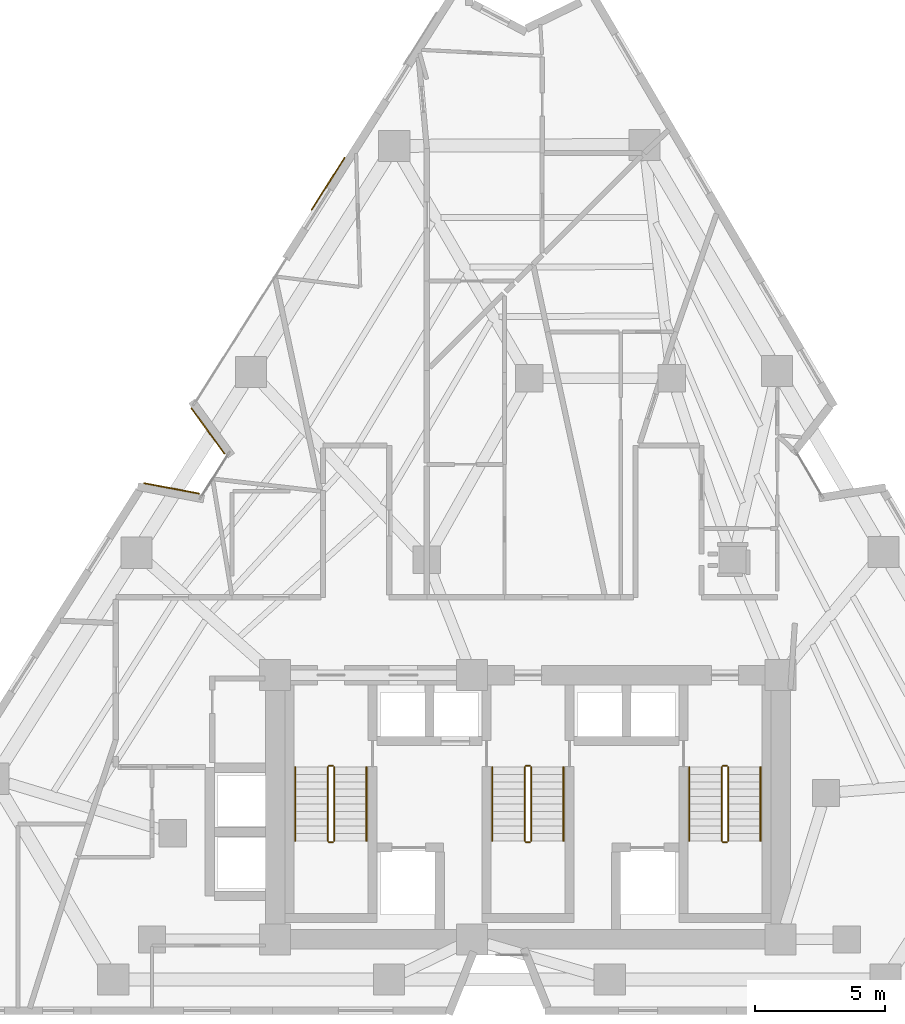
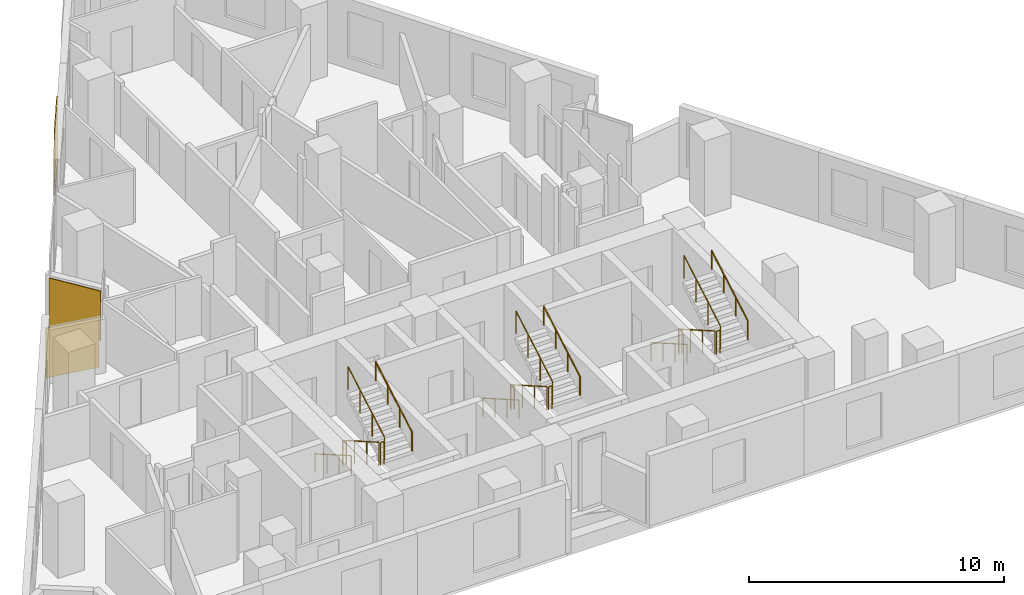
# One storey, part 11 of 12: 18 railings, 3 coverings.
"""IFC4 building model written with IfcOpenShell, lengths in metres."""

from ifc_helpers import new_model, si_unit, direction, frame, origin, origin_2d, place, context, subcontext, project, spatial, rectangle, circle, extrude, material, layer, layer_set, type_object, element, save


model = new_model("IFC4")

# Units and contexts
model_context = context("Model", 3, precision=1e-05, world=origin(), true_north=direction((0.0, 1.0)))
body_context = subcontext(model_context, "Body", "Model", "MODEL_VIEW")
ifc_project = project(units=[si_unit("LENGTHUNIT", "METRE"), si_unit("AREAUNIT", "SQUARE_METRE"), si_unit("VOLUMEUNIT", "CUBIC_METRE"), si_unit("PLANEANGLEUNIT", "RADIAN"), si_unit("MASSUNIT", "GRAM", prefix="KILO")], contexts=[model_context])

# Site, building, storey
site_placement = place(None, origin())
site = spatial("IfcSite", under=ifc_project, at=site_placement, CompositionType="ELEMENT")
building_placement = place(site_placement, origin())
building = spatial("IfcBuilding", under=site, at=building_placement, Name="Almagre Mirador Tower", CompositionType="ELEMENT")
storey_placement = place(building_placement, frame((0.0, 0.0, 117.60009765625)))
storey = spatial("IfcBuildingStorey", under=building, at=storey_placement, Name="L29", CompositionType="ELEMENT", Elevation=117.60009765625)

# Coverings
ifc_material_1 = material(Name="Almagre terracotta architectural cladding", Category="masonry")
ifc_layer = layer(ifc_material_1, 0.044921875)
ifc_layer_set = layer_set([ifc_layer], Name="Almagre terracotta architectural cladding")
covering_type = type_object("IfcCoveringType", Name="COV-CLAD-ALMAGRE", PredefinedType="CLADDING", material=ifc_layer_set)
for number, where, z_axis, x_axis, name in (
    (1, (23.552978515625, 21.950439453125, 0.099853515625), (0.0, 0.0, 1.0), (0.982745405197, -0.184963424938, 0.0), "L29 almagre terracotta pier cladding"),
    (2, (24.956298828125, 24.16748046875, 0.099853515625), (0.0, 0.0, 1.0), (-0.587757011914, 0.809037511458, 0.0), "L29 almagre terracotta pier cladding"),
):
    element("IfcCovering", number, at=place(storey_placement, frame(where, z_axis=z_axis, x_axis=x_axis)), inside=storey, type_object=covering_type, Name=name, PredefinedType="CLADDING", context=body_context, shape_type="SweptSolid", body=[
        extrude(rectangle(XDim=2.194091796875, YDim=0.044921875, at=origin_2d()), origin(), (0.0, 0.0, 1.0), 2.375),
    ])
covering_placement = place(storey_placement, frame((29.5927734375, 33.704833984375, 0.099853515625), z_axis=(0.0, 0.0, 1.0), x_axis=(0.534898084209, 0.844916587309, 0.0)))
element("IfcCovering", 3, at=covering_placement, inside=storey, type_object=covering_type, Name="L29 almagre terracotta pier cladding", PredefinedType="CLADDING", context=body_context, shape_type="SweptSolid", body=[
    extrude(rectangle(XDim=2.39990234375, YDim=0.044921875, at=origin_2d()), origin(), (0.0, 0.0, 1.0), 3.14990234375),
])

# Railings
ifc_material_2 = material(Name="Painted galvanized steel", Category="steel")
railing_type_1 = type_object("IfcRailingType", Name="RLG-GRD-1100", PredefinedType="GUARDRAIL", material=ifc_material_2)
railing_1_placement = place(storey_placement, frame((29.574951171875, 11.199951171875, 0.16357421875)))
element("IfcRailing", 4, at=railing_1_placement, inside=storey, type_object=railing_type_1, Name="L29 ST-1 stair guard 1", PredefinedType="GUARDRAIL", context=body_context, shape_type="SweptSolid", body=[
    extrude(circle(Radius=0.02392578125, at=origin_2d()), frame((0.0, 0.0, 1.09619140625), z_axis=(0.0, -0.867226363773, 0.497914082927), x_axis=(1.0, 0.0, 0.0)), (0.0, 0.0, 1.0), 3.2861328125),
    extrude(circle(Radius=0.02099609375, at=origin_2d()), origin(), (0.0, 0.0, 1.0), 1.072021484375),
    extrude(circle(Radius=0.02099609375, at=origin_2d()), frame((0.0, -0.949951171875, 0.54541015625)), (0.0, 0.0, 1.0), 1.072021484375),
    extrude(circle(Radius=0.02099609375, at=origin_2d()), frame((0.0, -1.89990234375, 1.0908203125)), (0.0, 0.0, 1.0), 1.072021484375),
    extrude(circle(Radius=0.02099609375, at=origin_2d()), frame((0.0, -2.849853515625, 1.63623046875)), (0.0, 0.0, 1.0), 1.072021484375),
])
railing_2_placement = place(storey_placement, frame((29.625, 8.300048828125, 1.7998046875)))
element("IfcRailing", 5, at=railing_2_placement, inside=storey, type_object=railing_type_1, Name="L29 ST-1 stair guard 2", PredefinedType="GUARDRAIL", context=body_context, shape_type="SweptSolid", body=[
    extrude(circle(Radius=0.02392578125, at=origin_2d()), frame((0.0, 0.0, 1.09619140625), z_axis=(1.0, 0.0, 0.0), x_axis=(0.0, 1.0, 0.0)), (0.0, 0.0, 1.0), 0.14990234375),
    extrude(circle(Radius=0.02099609375, at=origin_2d()), origin(), (0.0, 0.0, 1.0), 1.072021484375),
    extrude(circle(Radius=0.02099609375, at=origin_2d()), frame((0.14990234375, 0.0, 0.0)), (0.0, 0.0, 1.0), 1.072021484375),
])
railing_3_placement = place(storey_placement, frame((29.824951171875, 8.35009765625, 1.963623046875)))
element("IfcRailing", 6, at=railing_3_placement, inside=storey, type_object=railing_type_1, Name="L29 ST-1 stair guard 3", PredefinedType="GUARDRAIL", context=body_context, shape_type="SweptSolid", body=[
    extrude(circle(Radius=0.02392578125, at=origin_2d()), frame((0.0, 0.0, 1.09619140625), z_axis=(0.0, 0.867226363773, 0.497914082927), x_axis=(-1.0, 0.0, 0.0)), (0.0, 0.0, 1.0), 3.2861328125),
    extrude(circle(Radius=0.02099609375, at=origin_2d()), origin(), (0.0, 0.0, 1.0), 1.072021484375),
    extrude(circle(Radius=0.02099609375, at=origin_2d()), frame((0.0, 0.949951171875, 0.54541015625)), (0.0, 0.0, 1.0), 1.072021484375),
    extrude(circle(Radius=0.02099609375, at=origin_2d()), frame((0.0, 1.89990234375, 1.0908203125)), (0.0, 0.0, 1.0), 1.072021484375),
    extrude(circle(Radius=0.02099609375, at=origin_2d()), frame((0.0, 2.849853515625, 1.63623046875)), (0.0, 0.0, 1.0), 1.072021484375),
])
railing_4_placement = place(storey_placement, frame((29.625, 11.25, 0.0)))
element("IfcRailing", 7, at=railing_4_placement, inside=storey, type_object=railing_type_1, Name="L29 ST-1 stair guard 4", PredefinedType="GUARDRAIL", context=body_context, shape_type="SweptSolid", body=[
    extrude(circle(Radius=0.02392578125, at=origin_2d()), frame((0.0, 0.0, 1.09619140625), z_axis=(1.0, 0.0, 0.0), x_axis=(0.0, 1.0, 0.0)), (0.0, 0.0, 1.0), 0.14990234375),
    extrude(circle(Radius=0.02099609375, at=origin_2d()), origin(), (0.0, 0.0, 1.0), 1.072021484375),
    extrude(circle(Radius=0.02099609375, at=origin_2d()), frame((0.14990234375, 0.0, 0.0)), (0.0, 0.0, 1.0), 1.072021484375),
])
railing_5_placement = place(storey_placement, frame((37.175048828125, 11.199951171875, 0.16357421875)))
element("IfcRailing", 8, at=railing_5_placement, inside=storey, type_object=railing_type_1, Name="L29 ST-2 stair guard 1", PredefinedType="GUARDRAIL", context=body_context, shape_type="SweptSolid", body=[
    extrude(circle(Radius=0.02392578125, at=origin_2d()), frame((0.0, 0.0, 1.09619140625), z_axis=(0.0, -0.867226363773, 0.497914082927), x_axis=(1.0, 0.0, 0.0)), (0.0, 0.0, 1.0), 3.2861328125),
    extrude(circle(Radius=0.02099609375, at=origin_2d()), origin(), (0.0, 0.0, 1.0), 1.072021484375),
    extrude(circle(Radius=0.02099609375, at=origin_2d()), frame((0.0, -0.949951171875, 0.54541015625)), (0.0, 0.0, 1.0), 1.072021484375),
    extrude(circle(Radius=0.02099609375, at=origin_2d()), frame((0.0, -1.89990234375, 1.0908203125)), (0.0, 0.0, 1.0), 1.072021484375),
    extrude(circle(Radius=0.02099609375, at=origin_2d()), frame((0.0, -2.849853515625, 1.63623046875)), (0.0, 0.0, 1.0), 1.072021484375),
])
railing_6_placement = place(storey_placement, frame((37.22509765625, 8.300048828125, 1.7998046875)))
element("IfcRailing", 9, at=railing_6_placement, inside=storey, type_object=railing_type_1, Name="L29 ST-2 stair guard 2", PredefinedType="GUARDRAIL", context=body_context, shape_type="SweptSolid", body=[
    extrude(circle(Radius=0.02392578125, at=origin_2d()), frame((0.0, 0.0, 1.09619140625), z_axis=(1.0, 0.0, 0.0), x_axis=(0.0, 1.0, 0.0)), (0.0, 0.0, 1.0), 0.14990234375),
    extrude(circle(Radius=0.02099609375, at=origin_2d()), origin(), (0.0, 0.0, 1.0), 1.072021484375),
    extrude(circle(Radius=0.02099609375, at=origin_2d()), frame((0.14990234375, 0.0, 0.0)), (0.0, 0.0, 1.0), 1.072021484375),
])
railing_7_placement = place(storey_placement, frame((37.425048828125, 8.35009765625, 1.963623046875)))
element("IfcRailing", 10, at=railing_7_placement, inside=storey, type_object=railing_type_1, Name="L29 ST-2 stair guard 3", PredefinedType="GUARDRAIL", context=body_context, shape_type="SweptSolid", body=[
    extrude(circle(Radius=0.02392578125, at=origin_2d()), frame((0.0, 0.0, 1.09619140625), z_axis=(0.0, 0.867226363773, 0.497914082927), x_axis=(-1.0, 0.0, 0.0)), (0.0, 0.0, 1.0), 3.2861328125),
    extrude(circle(Radius=0.02099609375, at=origin_2d()), origin(), (0.0, 0.0, 1.0), 1.072021484375),
    extrude(circle(Radius=0.02099609375, at=origin_2d()), frame((0.0, 0.949951171875, 0.54541015625)), (0.0, 0.0, 1.0), 1.072021484375),
    extrude(circle(Radius=0.02099609375, at=origin_2d()), frame((0.0, 1.89990234375, 1.0908203125)), (0.0, 0.0, 1.0), 1.072021484375),
    extrude(circle(Radius=0.02099609375, at=origin_2d()), frame((0.0, 2.849853515625, 1.63623046875)), (0.0, 0.0, 1.0), 1.072021484375),
])
railing_8_placement = place(storey_placement, frame((37.22509765625, 11.25, 0.0)))
element("IfcRailing", 11, at=railing_8_placement, inside=storey, type_object=railing_type_1, Name="L29 ST-2 stair guard 4", PredefinedType="GUARDRAIL", context=body_context, shape_type="SweptSolid", body=[
    extrude(circle(Radius=0.02392578125, at=origin_2d()), frame((0.0, 0.0, 1.09619140625), z_axis=(1.0, 0.0, 0.0), x_axis=(0.0, 1.0, 0.0)), (0.0, 0.0, 1.0), 0.14990234375),
    extrude(circle(Radius=0.02099609375, at=origin_2d()), origin(), (0.0, 0.0, 1.0), 1.072021484375),
    extrude(circle(Radius=0.02099609375, at=origin_2d()), frame((0.14990234375, 0.0, 0.0)), (0.0, 0.0, 1.0), 1.072021484375),
])
railing_9_placement = place(storey_placement, frame((44.77490234375, 11.199951171875, 0.16357421875)))
element("IfcRailing", 12, at=railing_9_placement, inside=storey, type_object=railing_type_1, Name="L29 ST-3 stair guard 1", PredefinedType="GUARDRAIL", context=body_context, shape_type="SweptSolid", body=[
    extrude(circle(Radius=0.02392578125, at=origin_2d()), frame((0.0, 0.0, 1.09619140625), z_axis=(0.0, -0.867226363773, 0.497914082927), x_axis=(1.0, 0.0, 0.0)), (0.0, 0.0, 1.0), 3.2861328125),
    extrude(circle(Radius=0.02099609375, at=origin_2d()), origin(), (0.0, 0.0, 1.0), 1.072021484375),
    extrude(circle(Radius=0.02099609375, at=origin_2d()), frame((0.0, -0.949951171875, 0.54541015625)), (0.0, 0.0, 1.0), 1.072021484375),
    extrude(circle(Radius=0.02099609375, at=origin_2d()), frame((0.0, -1.89990234375, 1.0908203125)), (0.0, 0.0, 1.0), 1.072021484375),
    extrude(circle(Radius=0.02099609375, at=origin_2d()), frame((0.0, -2.849853515625, 1.63623046875)), (0.0, 0.0, 1.0), 1.072021484375),
])
railing_10_placement = place(storey_placement, frame((44.824951171875, 8.300048828125, 1.7998046875)))
element("IfcRailing", 13, at=railing_10_placement, inside=storey, type_object=railing_type_1, Name="L29 ST-3 stair guard 2", PredefinedType="GUARDRAIL", context=body_context, shape_type="SweptSolid", body=[
    extrude(circle(Radius=0.02392578125, at=origin_2d()), frame((0.0, 0.0, 1.09619140625), z_axis=(1.0, 0.0, 0.0), x_axis=(0.0, 1.0, 0.0)), (0.0, 0.0, 1.0), 0.150146484375),
    extrude(circle(Radius=0.02099609375, at=origin_2d()), origin(), (0.0, 0.0, 1.0), 1.072021484375),
    extrude(circle(Radius=0.02099609375, at=origin_2d()), frame((0.150146484375, 0.0, 0.0)), (0.0, 0.0, 1.0), 1.072021484375),
])
railing_11_placement = place(storey_placement, frame((45.02490234375, 8.35009765625, 1.963623046875)))
element("IfcRailing", 14, at=railing_11_placement, inside=storey, type_object=railing_type_1, Name="L29 ST-3 stair guard 3", PredefinedType="GUARDRAIL", context=body_context, shape_type="SweptSolid", body=[
    extrude(circle(Radius=0.02392578125, at=origin_2d()), frame((0.0, 0.0, 1.09619140625), z_axis=(0.0, 0.867226363773, 0.497914082927), x_axis=(-1.0, 0.0, 0.0)), (0.0, 0.0, 1.0), 3.2861328125),
    extrude(circle(Radius=0.02099609375, at=origin_2d()), origin(), (0.0, 0.0, 1.0), 1.072021484375),
    extrude(circle(Radius=0.02099609375, at=origin_2d()), frame((0.0, 0.949951171875, 0.54541015625)), (0.0, 0.0, 1.0), 1.072021484375),
    extrude(circle(Radius=0.02099609375, at=origin_2d()), frame((0.0, 1.89990234375, 1.0908203125)), (0.0, 0.0, 1.0), 1.072021484375),
    extrude(circle(Radius=0.02099609375, at=origin_2d()), frame((0.0, 2.849853515625, 1.63623046875)), (0.0, 0.0, 1.0), 1.072021484375),
])
railing_12_placement = place(storey_placement, frame((44.824951171875, 11.25, 0.0)))
element("IfcRailing", 15, at=railing_12_placement, inside=storey, type_object=railing_type_1, Name="L29 ST-3 stair guard 4", PredefinedType="GUARDRAIL", context=body_context, shape_type="SweptSolid", body=[
    extrude(circle(Radius=0.02392578125, at=origin_2d()), frame((0.0, 0.0, 1.09619140625), z_axis=(1.0, 0.0, 0.0), x_axis=(0.0, 1.0, 0.0)), (0.0, 0.0, 1.0), 0.150146484375),
    extrude(circle(Radius=0.02099609375, at=origin_2d()), origin(), (0.0, 0.0, 1.0), 1.072021484375),
    extrude(circle(Radius=0.02099609375, at=origin_2d()), frame((0.150146484375, 0.0, 0.0)), (0.0, 0.0, 1.0), 1.072021484375),
])
ifc_material_3 = material(Name="Brushed stainless steel", Category="steel")
railing_type_2 = type_object("IfcRailingType", Name="RLG-HND-915", PredefinedType="HANDRAIL", material=ifc_material_3)
railing_13_placement = place(storey_placement, frame((28.324951171875, 11.199951171875, 0.16357421875)))
element("IfcRailing", 16, at=railing_13_placement, inside=storey, type_object=railing_type_2, Name="L29 ST-1 stair handrail 1", PredefinedType="HANDRAIL", context=body_context, shape_type="SweptSolid", body=[
    extrude(circle(Radius=0.02392578125, at=origin_2d()), frame((0.0, 0.0, 0.89111328125), z_axis=(0.0, -0.867226363773, 0.497914082927), x_axis=(1.0, 0.0, 0.0)), (0.0, 0.0, 1.0), 3.2861328125),
    extrude(circle(Radius=0.02099609375, at=origin_2d()), origin(), (0.0, 0.0, 1.0), 0.866943359375),
    extrude(circle(Radius=0.02099609375, at=origin_2d()), frame((0.0, -0.949951171875, 0.54541015625)), (0.0, 0.0, 1.0), 0.866943359375),
    extrude(circle(Radius=0.02099609375, at=origin_2d()), frame((0.0, -1.89990234375, 1.0908203125)), (0.0, 0.0, 1.0), 0.866943359375),
    extrude(circle(Radius=0.02099609375, at=origin_2d()), frame((0.0, -2.849853515625, 1.63623046875)), (0.0, 0.0, 1.0), 0.866943359375),
])
railing_14_placement = place(storey_placement, frame((31.074951171875, 8.35009765625, 1.963623046875)))
element("IfcRailing", 17, at=railing_14_placement, inside=storey, type_object=railing_type_2, Name="L29 ST-1 stair handrail 2", PredefinedType="HANDRAIL", context=body_context, shape_type="SweptSolid", body=[
    extrude(circle(Radius=0.02392578125, at=origin_2d()), frame((0.0, 0.0, 0.89111328125), z_axis=(0.0, 0.867226363773, 0.497914082927), x_axis=(-1.0, 0.0, 0.0)), (0.0, 0.0, 1.0), 3.2861328125),
    extrude(circle(Radius=0.02099609375, at=origin_2d()), origin(), (0.0, 0.0, 1.0), 0.866943359375),
    extrude(circle(Radius=0.02099609375, at=origin_2d()), frame((0.0, 0.949951171875, 0.54541015625)), (0.0, 0.0, 1.0), 0.866943359375),
    extrude(circle(Radius=0.02099609375, at=origin_2d()), frame((0.0, 1.89990234375, 1.0908203125)), (0.0, 0.0, 1.0), 0.866943359375),
    extrude(circle(Radius=0.02099609375, at=origin_2d()), frame((0.0, 2.849853515625, 1.63623046875)), (0.0, 0.0, 1.0), 0.866943359375),
])
railing_15_placement = place(storey_placement, frame((35.925048828125, 11.199951171875, 0.16357421875)))
element("IfcRailing", 18, at=railing_15_placement, inside=storey, type_object=railing_type_2, Name="L29 ST-2 stair handrail 1", PredefinedType="HANDRAIL", context=body_context, shape_type="SweptSolid", body=[
    extrude(circle(Radius=0.02392578125, at=origin_2d()), frame((0.0, 0.0, 0.89111328125), z_axis=(0.0, -0.867226363773, 0.497914082927), x_axis=(1.0, 0.0, 0.0)), (0.0, 0.0, 1.0), 3.2861328125),
    extrude(circle(Radius=0.02099609375, at=origin_2d()), origin(), (0.0, 0.0, 1.0), 0.866943359375),
    extrude(circle(Radius=0.02099609375, at=origin_2d()), frame((0.0, -0.949951171875, 0.54541015625)), (0.0, 0.0, 1.0), 0.866943359375),
    extrude(circle(Radius=0.02099609375, at=origin_2d()), frame((0.0, -1.89990234375, 1.0908203125)), (0.0, 0.0, 1.0), 0.866943359375),
    extrude(circle(Radius=0.02099609375, at=origin_2d()), frame((0.0, -2.849853515625, 1.63623046875)), (0.0, 0.0, 1.0), 0.866943359375),
])
railing_16_placement = place(storey_placement, frame((38.675048828125, 8.35009765625, 1.963623046875)))
element("IfcRailing", 19, at=railing_16_placement, inside=storey, type_object=railing_type_2, Name="L29 ST-2 stair handrail 2", PredefinedType="HANDRAIL", context=body_context, shape_type="SweptSolid", body=[
    extrude(circle(Radius=0.02392578125, at=origin_2d()), frame((0.0, 0.0, 0.89111328125), z_axis=(0.0, 0.867226363773, 0.497914082927), x_axis=(-1.0, 0.0, 0.0)), (0.0, 0.0, 1.0), 3.2861328125),
    extrude(circle(Radius=0.02099609375, at=origin_2d()), origin(), (0.0, 0.0, 1.0), 0.866943359375),
    extrude(circle(Radius=0.02099609375, at=origin_2d()), frame((0.0, 0.949951171875, 0.54541015625)), (0.0, 0.0, 1.0), 0.866943359375),
    extrude(circle(Radius=0.02099609375, at=origin_2d()), frame((0.0, 1.89990234375, 1.0908203125)), (0.0, 0.0, 1.0), 0.866943359375),
    extrude(circle(Radius=0.02099609375, at=origin_2d()), frame((0.0, 2.849853515625, 1.63623046875)), (0.0, 0.0, 1.0), 0.866943359375),
])
railing_17_placement = place(storey_placement, frame((43.52490234375, 11.199951171875, 0.16357421875)))
element("IfcRailing", 20, at=railing_17_placement, inside=storey, type_object=railing_type_2, Name="L29 ST-3 stair handrail 1", PredefinedType="HANDRAIL", context=body_context, shape_type="SweptSolid", body=[
    extrude(circle(Radius=0.02392578125, at=origin_2d()), frame((0.0, 0.0, 0.89111328125), z_axis=(0.0, -0.867226363773, 0.497914082927), x_axis=(1.0, 0.0, 0.0)), (0.0, 0.0, 1.0), 3.2861328125),
    extrude(circle(Radius=0.02099609375, at=origin_2d()), origin(), (0.0, 0.0, 1.0), 0.866943359375),
    extrude(circle(Radius=0.02099609375, at=origin_2d()), frame((0.0, -0.949951171875, 0.54541015625)), (0.0, 0.0, 1.0), 0.866943359375),
    extrude(circle(Radius=0.02099609375, at=origin_2d()), frame((0.0, -1.89990234375, 1.0908203125)), (0.0, 0.0, 1.0), 0.866943359375),
    extrude(circle(Radius=0.02099609375, at=origin_2d()), frame((0.0, -2.849853515625, 1.63623046875)), (0.0, 0.0, 1.0), 0.866943359375),
])
railing_18_placement = place(storey_placement, frame((46.27490234375, 8.35009765625, 1.963623046875)))
element("IfcRailing", 21, at=railing_18_placement, inside=storey, type_object=railing_type_2, Name="L29 ST-3 stair handrail 2", PredefinedType="HANDRAIL", context=body_context, shape_type="SweptSolid", body=[
    extrude(circle(Radius=0.02392578125, at=origin_2d()), frame((0.0, 0.0, 0.89111328125), z_axis=(0.0, 0.867226363773, 0.497914082927), x_axis=(-1.0, 0.0, 0.0)), (0.0, 0.0, 1.0), 3.2861328125),
    extrude(circle(Radius=0.02099609375, at=origin_2d()), origin(), (0.0, 0.0, 1.0), 0.866943359375),
    extrude(circle(Radius=0.02099609375, at=origin_2d()), frame((0.0, 0.949951171875, 0.54541015625)), (0.0, 0.0, 1.0), 0.866943359375),
    extrude(circle(Radius=0.02099609375, at=origin_2d()), frame((0.0, 1.89990234375, 1.0908203125)), (0.0, 0.0, 1.0), 0.866943359375),
    extrude(circle(Radius=0.02099609375, at=origin_2d()), frame((0.0, 2.849853515625, 1.63623046875)), (0.0, 0.0, 1.0), 0.866943359375),
])

save(model, "model.ifc")
